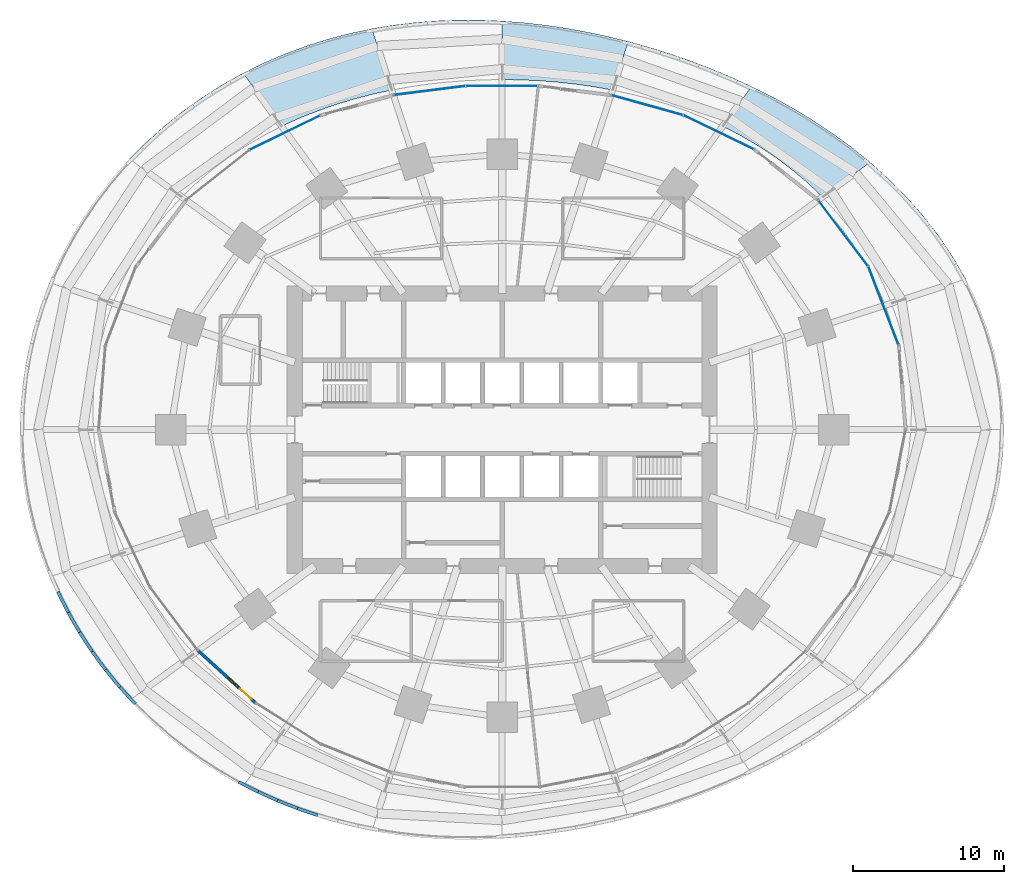
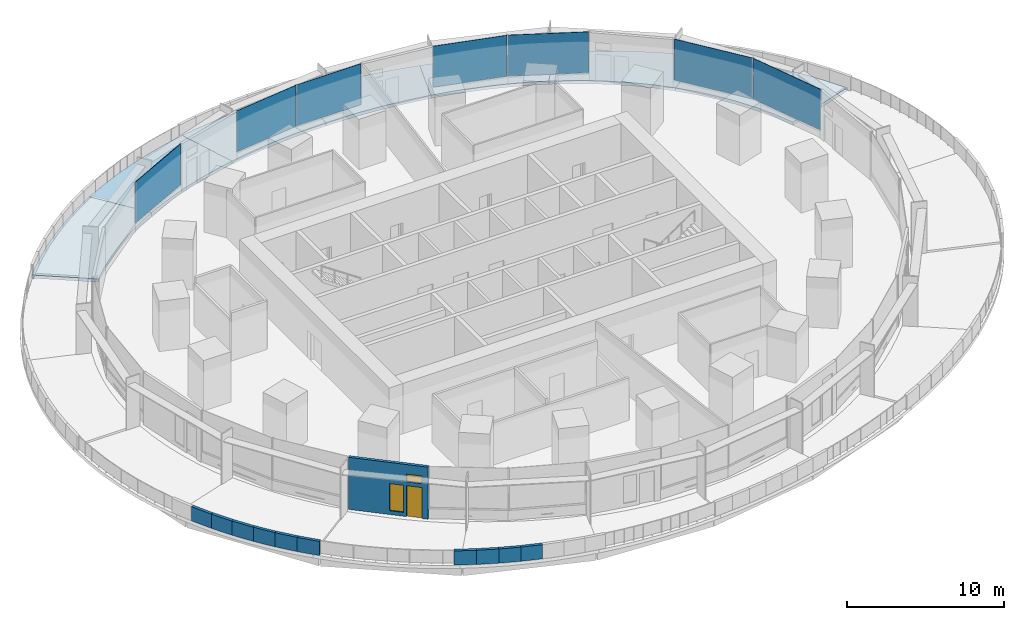
# One storey, part 11 of 20: 11 walls, 7 plates, 7 slabs, 2 windows, 1 door, 3 openings, 5 elements without a shape of their own.
"""IFC4 building model written with IfcOpenShell, lengths in metres."""

from ifc_helpers import new_model, si_unit, direction, frame, frame_2d, origin, origin_2d, place, context, subcontext, project, spatial, polyline, rectangle, outline, extrude, material, layer, layer_set, type_object, element, fill, aggregate, save


model = new_model("IFC4")

# Units and contexts
model_context = context("Model", 3, precision=1e-05, world=origin(), true_north=direction((0.0, 1.0)))
body_context = subcontext(model_context, "Body", "Model", "MODEL_VIEW")
ifc_project = project(units=[si_unit("LENGTHUNIT", "METRE"), si_unit("AREAUNIT", "SQUARE_METRE"), si_unit("VOLUMEUNIT", "CUBIC_METRE"), si_unit("PLANEANGLEUNIT", "RADIAN"), si_unit("MASSUNIT", "GRAM", prefix="KILO")], contexts=[model_context])

# Site, building, storey
site_placement = place(None, origin())
site = spatial("IfcSite", under=ifc_project, at=site_placement, CompositionType="ELEMENT")
building_placement = place(site_placement, origin())
building = spatial("IfcBuilding", under=site, at=building_placement, Name="Marramba Exchange Tower", CompositionType="ELEMENT")
storey_placement = place(building_placement, frame((0.0, 0.0, 19.60009765625)))
storey = spatial("IfcBuildingStorey", under=building, at=storey_placement, Name="L04", CompositionType="ELEMENT", Elevation=19.60009765625)

# Slabs
ifc_material_1 = material(Name="Concrete N40", Category="concrete")
ifc_layer_1 = layer(ifc_material_1, 0.25)
ifc_layer_set_1 = layer_set([ifc_layer_1], Name="Planted roof slab 250")
slab_type_1 = type_object("IfcSlabType", Name="Planted roof slab 250", PredefinedType="ROOF", material=ifc_layer_set_1)
slab_1_placement = place(storey_placement, frame((0.0, 0.0, -0.25)))
element("IfcSlab", 1, at=slab_1_placement, inside=storey, type_object=slab_type_1, Name="Planted roof slab L04 bay 02", PredefinedType="ROOF", context=body_context, shape_type="SweptSolid", body=[
    extrude(outline(polyline([(24.31298828125, 17.66455078125), (25.525146484375, 16.576171875), (26.68798828125, 15.408447265625), (27.791015625, 14.16015625), (28.82275390625, 12.832763671875), (29.770751953125, 11.427978515625), (30.623291015625, 9.9501953125), (25.717529296875, 8.356201171875), (25.16162109375, 9.65869140625), (24.516357421875, 10.915283203125), (23.786865234375, 12.1201171875), (22.9794921875, 13.267333984375), (22.10107421875, 14.3525390625), (21.158447265625, 15.37255859375), (24.31298828125, 17.66455078125)])), origin(), (0.0, 0.0, 1.0), 0.25),
])
slab_2_placement = place(storey_placement, frame((0.0, 0.0, -0.25)))
element("IfcSlab", 2, at=slab_2_placement, inside=storey, type_object=slab_type_1, Name="Planted roof slab L04 bay 04", PredefinedType="ROOF", context=body_context, shape_type="SweptSolid", body=[
    extrude(outline(polyline([(8.332763671875, 25.645263671875), (9.698486328125, 25.26513671875), (11.06005859375, 24.841552734375), (12.418701171875, 24.373046875), (13.774169921875, 23.857666015625), (15.126708984375, 23.29296875), (16.47509765625, 22.676025390625), (14.563720703125, 20.04541015625), (13.3701171875, 20.588134765625), (12.164306640625, 21.069091796875), (10.9501953125, 21.4912109375), (9.7314453125, 21.857421875), (8.5107421875, 22.1708984375), (7.289794921875, 22.435302734375), (8.332763671875, 25.645263671875)])), origin(), (0.0, 0.0, 1.0), 0.25),
])
slab_3_placement = place(storey_placement, frame((0.0, 0.0, -0.25)))
element("IfcSlab", 3, at=slab_3_placement, inside=storey, type_object=slab_type_1, Name="Planted roof slab L04 bay 06", PredefinedType="ROOF", context=body_context, shape_type="SweptSolid", body=[
    extrude(outline(polyline([(-7.16162109375, 26.7275390625), (-5.718017578125, 26.901123046875), (-4.2783203125, 27.01220703125), (-2.844482421875, 27.06396484375), (-1.418212890625, 27.058837890625), (0.0, 27.0), (0.0, 23.1279296875), (-1.211181640625, 23.109619140625), (-2.423095703125, 23.053955078125), (-3.636474609375, 22.96044921875), (-4.85205078125, 22.827392578125), (-6.06982421875, 22.6533203125), (-7.289794921875, 22.435302734375), (-8.606689453125, 26.48876953125), (-7.16162109375, 26.7275390625)])), origin(), (0.0, 0.0, 1.0), 0.25),
])
slab_4_placement = place(storey_placement, frame((0.0, 0.0, -0.25)))
element("IfcSlab", 4, at=slab_4_placement, inside=storey, type_object=slab_type_1, Name="Planted roof slab L04 bay 08", PredefinedType="ROOF", context=body_context, shape_type="SweptSolid", body=[
    extrude(outline(polyline([(-24.615478515625, 17.88427734375), (-23.484375, 19.017333984375), (-22.2978515625, 20.0771484375), (-21.061767578125, 21.061767578125), (-19.7822265625, 21.97021484375), (-18.46435546875, 22.801513671875), (-17.114013671875, 23.555419921875), (-14.563720703125, 20.04541015625), (-15.740478515625, 19.437744140625), (-16.89453125, 18.763427734375), (-18.020263671875, 18.020263671875), (-19.11083984375, 17.20751953125), (-20.159423828125, 16.32470703125), (-21.158447265625, 15.37255859375), (-24.615478515625, 17.88427734375)])), origin(), (0.0, 0.0, 1.0), 0.25),
])
ifc_layer_2 = layer(ifc_material_1, 0.25)
ifc_layer_set_2 = layer_set([ifc_layer_2], Name="Terrace slab 250")
slab_type_2 = type_object("IfcSlabType", Name="Terrace slab 250", PredefinedType="FLOOR", material=ifc_layer_set_2)
slab_5_placement = place(storey_placement, frame((0.0, 0.0, -0.25)))
element("IfcSlab", 5, at=slab_5_placement, inside=storey, type_object=slab_type_2, Name="Terrace slab L04 bay 03", PredefinedType="FLOOR", context=body_context, shape_type="SweptSolid", body=[
    extrude(outline(polyline([(17.81787109375, 22.003173828125), (19.152099609375, 21.2705078125), (20.474365234375, 20.474365234375), (21.77978515625, 19.610595703125), (23.061767578125, 18.675048828125), (24.31298828125, 17.66455078125), (21.158447265625, 15.37255859375), (20.159423828125, 16.32470703125), (19.11083984375, 17.20751953125), (18.020263671875, 18.020263671875), (16.89453125, 18.763427734375), (15.740478515625, 19.437744140625), (14.563720703125, 20.04541015625), (16.47509765625, 22.676025390625), (17.81787109375, 22.003173828125)])), origin(), (0.0, 0.0, 1.0), 0.25),
])
slab_6_placement = place(storey_placement, frame((0.0, 0.0, -0.25)))
element("IfcSlab", 6, at=slab_6_placement, inside=storey, type_object=slab_type_2, Name="Terrace slab L04 bay 05", PredefinedType="FLOOR", context=body_context, shape_type="SweptSolid", body=[
    extrude(outline(polyline([(1.4091796875, 26.89013671875), (2.8095703125, 26.7314453125), (4.201416015625, 26.526123046875), (5.585205078125, 26.276123046875), (6.9619140625, 25.982177734375), (8.332763671875, 25.645263671875), (7.289794921875, 22.435302734375), (6.06982421875, 22.6533203125), (4.85205078125, 22.827392578125), (3.636474609375, 22.96044921875), (2.423095703125, 23.053955078125), (1.211181640625, 23.109619140625), (0.0, 23.1279296875), (0.0, 27.0), (1.4091796875, 26.89013671875)])), origin(), (0.0, 0.0, 1.0), 0.25),
])
slab_7_placement = place(storey_placement, frame((0.0, 0.0, -0.25)))
element("IfcSlab", 7, at=slab_7_placement, inside=storey, type_object=slab_type_2, Name="Terrace slab L04 bay 07", PredefinedType="FLOOR", context=body_context, shape_type="SweptSolid", body=[
    extrude(outline(polyline([(-17.114013671875, 23.555419921875), (-15.736328125, 24.231689453125), (-14.33642578125, 24.831298828125), (-12.919189453125, 25.355224609375), (-11.489013671875, 25.804931640625), (-10.05029296875, 26.18212890625), (-8.606689453125, 26.48876953125), (-7.289794921875, 22.435302734375), (-8.5107421875, 22.1708984375), (-9.7314453125, 21.857421875), (-10.9501953125, 21.4912109375), (-12.164306640625, 21.069091796875), (-13.3701171875, 20.588134765625), (-14.563720703125, 20.04541015625), (-17.114013671875, 23.555419921875)])), origin(), (0.0, 0.0, 1.0), 0.25),
])

# Curtain wall, plates
ifc_material_2 = material(Name="Aluminium framing, bronze anodised", Category="aluminium")
curtain_wall_type = type_object("IfcCurtainWallType", Name="Trading floor ribbon curtain wall", PredefinedType="USERDEFINED", material=ifc_material_2)
curtain_wall_1_placement = place(storey_placement, origin())
curtain_wall_1 = element("IfcCurtainWall", 8, at=curtain_wall_1_placement, inside=storey, type_object=curtain_wall_type, Name="Curtain wall CW3 L04 F02-F03", ObjectType="RIBBON CURTAIN WALL", PredefinedType="USERDEFINED")
ifc_material_3 = material(Name="Double glazed unit 10 + 12 + 8.76, bronze tinted", Category="glass")
ifc_layer_3 = layer(ifc_material_3, 0.03076171875)
ifc_layer_set_3 = layer_set([ifc_layer_3], Name="Trading floor ribbon curtain wall panel")
plate_type = type_object("IfcPlateType", Name="Trading floor ribbon curtain wall panel", PredefinedType="CURTAIN_PANEL", material=ifc_layer_set_3)
plate_1_placement = place(storey_placement, frame((25.188232421875, 8.19921875, 0.85986328125), z_axis=(0.0, 0.0, 1.0), x_axis=(-0.359525510698, 0.933135256626, 0.0)))
plate_1 = element("IfcPlate", 9, at=plate_1_placement, type_object=plate_type, Name="CW3 vision panel", PredefinedType="CURTAIN_PANEL", context=body_context, shape_type="SweptSolid", body=[
    extrude(rectangle(XDim=5.5166015625, YDim=0.03076171875, at=origin_2d()), origin(), (0.0, 0.0, 1.0), 3.179931640625),
])
plate_2_placement = place(storey_placement, frame((22.535888671875, 12.969970703125, 0.85986328125), z_axis=(0.0, 0.0, 1.0), x_axis=(-0.602989765036, 0.797748922445, 0.0)))
plate_2 = element("IfcPlate", 10, at=plate_2_placement, type_object=plate_type, Name="CW3 vision panel", PredefinedType="CURTAIN_PANEL", context=body_context, shape_type="SweptSolid", body=[
    extrude(rectangle(XDim=5.387939453125, YDim=0.03076171875, at=origin_2d()), origin(), (0.0, 0.0, 1.0), 3.179931640625),
])
aggregate(curtain_wall_1, [plate_1, plate_2])

# Curtain wall, plate
curtain_wall_2_placement = place(storey_placement, origin())
curtain_wall_2 = element("IfcCurtainWall", 11, at=curtain_wall_2_placement, inside=storey, type_object=curtain_wall_type, Name="Curtain wall CW3 L04 F05", ObjectType="RIBBON CURTAIN WALL", PredefinedType="USERDEFINED")
plate_3_placement = place(storey_placement, frame((14.2978515625, 19.647705078125, 0.85986328125), z_axis=(0.0, 0.0, 1.0), x_axis=(-0.899963433508, 0.43596538664, 0.0)))
plate_3 = element("IfcPlate", 12, at=plate_3_placement, type_object=plate_type, Name="CW3 vision panel", PredefinedType="CURTAIN_PANEL", context=body_context, shape_type="SweptSolid", body=[
    extrude(rectangle(XDim=5.13037109375, YDim=0.03076171875, at=origin_2d()), origin(), (0.0, 0.0, 1.0), 3.179931640625),
])
aggregate(curtain_wall_2, [plate_3])

curtain_wall_3_placement = place(storey_placement, origin())
curtain_wall_3 = element("IfcCurtainWall", 13, at=curtain_wall_3_placement, inside=storey, type_object=curtain_wall_type, Name="Curtain wall CW3 L04 F06", ObjectType="RIBBON CURTAIN WALL", PredefinedType="USERDEFINED")
plate_4_placement = place(storey_placement, frame((9.58544921875, 21.434326171875, 0.85986328125), z_axis=(0.0, 0.0, 1.0), x_axis=(-0.963472096649, 0.267808735815, 0.0)))
plate_4 = element("IfcPlate", 14, at=plate_4_placement, type_object=plate_type, Name="CW3 vision panel", PredefinedType="CURTAIN_PANEL", context=body_context, shape_type="SweptSolid", body=[
    extrude(rectangle(XDim=4.8701171875, YDim=0.03076171875, at=origin_2d()), origin(), (0.0, 0.0, 1.0), 3.179931640625),
])
aggregate(curtain_wall_3, [plate_4])

# Curtain wall, plates
curtain_wall_4_placement = place(storey_placement, origin())
curtain_wall_4 = element("IfcCurtainWall", 15, at=curtain_wall_4_placement, inside=storey, type_object=curtain_wall_type, Name="Curtain wall CW3 L04 F08-F09", ObjectType="RIBBON CURTAIN WALL", PredefinedType="USERDEFINED")
plate_5_placement = place(storey_placement, frame((-0.030029296875, 22.7060546875, 0.85986328125), z_axis=(0.0, 0.0, 1.0), x_axis=(-1.0, 0.0, 0.0)))
plate_5 = element("IfcPlate", 16, at=plate_5_placement, type_object=plate_type, Name="CW3 vision panel", PredefinedType="CURTAIN_PANEL", context=body_context, shape_type="SweptSolid", body=[
    extrude(rectangle(XDim=4.712890625, YDim=0.03076171875, at=origin_2d()), origin(), (0.0, 0.0, 1.0), 3.179931640625),
])
plate_6_placement = place(storey_placement, frame((-4.783935546875, 22.404296875, 0.85986328125), z_axis=(0.0, 0.0, 1.0), x_axis=(-0.992172768738, -0.124872723099, 0.0)))
plate_6 = element("IfcPlate", 17, at=plate_6_placement, type_object=plate_type, Name="CW3 vision panel", PredefinedType="CURTAIN_PANEL", context=body_context, shape_type="SweptSolid", body=[
    extrude(rectangle(XDim=4.712890625, YDim=0.03076171875, at=origin_2d()), origin(), (0.0, 0.0, 1.0), 3.179931640625),
])
aggregate(curtain_wall_4, [plate_5, plate_6])

# Curtain wall, plate
curtain_wall_5_placement = place(storey_placement, origin())
curtain_wall_5 = element("IfcCurtainWall", 18, at=curtain_wall_5_placement, inside=storey, type_object=curtain_wall_type, Name="Curtain wall CW3 L04 F11-F12", ObjectType="RIBBON CURTAIN WALL", PredefinedType="USERDEFINED")
plate_7_placement = place(storey_placement, frame((-14.351806640625, 19.62158203125, 0.85986328125), z_axis=(0.0, 0.0, 1.0), x_axis=(-0.899963433508, -0.43596538664, 0.0)))
plate_7 = element("IfcPlate", 19, at=plate_7_placement, type_object=plate_type, Name="CW3 vision panel", PredefinedType="CURTAIN_PANEL", context=body_context, shape_type="SweptSolid", body=[
    extrude(rectangle(XDim=5.13037109375, YDim=0.03076171875, at=origin_2d()), origin(), (0.0, 0.0, 1.0), 3.179931640625),
])
aggregate(curtain_wall_5, [plate_7])

# Wall, openings, door, windows
ifc_material_4 = material(Name="Aluminium-framed bronze cladding on steel studs", Category="steel")
ifc_layer_4 = layer(ifc_material_4, 0.199951171875)
ifc_layer_set_4 = layer_set([ifc_layer_4], Name="Door screen wall 200")
wall_type_1 = type_object("IfcWallType", Name="Door screen wall 200", PredefinedType="SOLIDWALL", material=ifc_layer_set_4)
wall_1_placement = place(storey_placement, frame((-20.08544921875, -14.593017578125, 0.0), z_axis=(0.0, 0.0, 1.0), x_axis=(0.739597549154, -0.673049378044, 0.0)))
wall_1 = element("IfcWall", 20, at=wall_1_placement, inside=storey, type_object=wall_type_1, Name="Door screen L04 F19", PredefinedType="SOLIDWALL", context=body_context, shape_type="SweptSolid", body=[
    extrude(rectangle(XDim=5.161865234375, YDim=0.199951171875, at=frame_2d((2.5810546875, 0.0))), origin(), (0.0, 0.0, 1.0), 4.039794921875),
])
opening_1_placement = place(wall_1_placement, frame((3.761962890625, 0.0, 0.0)))
opening_1 = element("IfcOpeningElement", 21, at=opening_1_placement, cuts=wall_1, Name="Opening D6", PredefinedType="OPENING", context=body_context, shape_type="SweptSolid", body=[
    extrude(rectangle(XDim=1.0, YDim=2.39990234375, at=frame_2d((0.5, 1.199951171875))), frame((0.0, 0.10986328125, 0.0), z_axis=(0.0, -1.0, 0.0), x_axis=(1.0, 0.0, 0.0)), (0.0, 0.0, 1.0), 0.219970703125),
])
opening_2_placement = place(wall_1_placement, frame((2.661865234375, 0.0, 0.300048828125)))
opening_2 = element("IfcOpeningElement", 22, at=opening_2_placement, cuts=wall_1, Name="Opening W4", PredefinedType="OPENING", context=body_context, shape_type="SweptSolid", body=[
    extrude(rectangle(XDim=0.89990234375, YDim=2.10009765625, at=frame_2d((0.449951171875, 1.050048828125))), frame((0.0, 0.10986328125, 0.0), z_axis=(0.0, -1.0, 0.0), x_axis=(1.0, 0.0, 0.0)), (0.0, 0.0, 1.0), 0.219970703125),
])
opening_3_placement = place(wall_1_placement, frame((3.761962890625, 0.0, 2.699951171875)))
opening_3 = element("IfcOpeningElement", 23, at=opening_3_placement, cuts=wall_1, Name="Opening W5", PredefinedType="OPENING", context=body_context, shape_type="SweptSolid", body=[
    extrude(rectangle(XDim=1.0, YDim=0.60009765625, at=frame_2d((0.5, 0.300048828125))), frame((0.0, 0.10986328125, 0.0), z_axis=(0.0, -1.0, 0.0), x_axis=(1.0, 0.0, 0.0)), (0.0, 0.0, 1.0), 0.219970703125),
])
ifc_material_5 = material(Name="Aluminium-framed glazed door, bronze", Category="aluminium")
door_type = type_object("IfcDoorType", Name="Terrace door 1000x2400", OperationType="SINGLE_SWING_LEFT", PredefinedType="DOOR", material=ifc_material_5)
door_placement = place(opening_1_placement, frame((1.0, 0.0, 0.0), z_axis=(0.0, 0.0, 1.0), x_axis=(-1.0, 0.0, 0.0)))
door = element("IfcDoor", 24, at=door_placement, inside=storey, type_object=door_type, Name="D6 L04", OperationType="SINGLE_SWING_RIGHT", OverallHeight=2.39990234375, OverallWidth=1.0, PredefinedType="DOOR", context=body_context, shape_type="SweptSolid", body=[
    extrude(rectangle(XDim=1.0, YDim=2.39990234375, at=frame_2d((0.5, 1.199951171875))), frame((0.0, 0.025146484375, 0.0), z_axis=(0.0, -1.0, 0.0), x_axis=(1.0, 0.0, 0.0)), (0.0, 0.0, 1.0), 0.050048828125),
])
fill(opening_1, door)
ifc_material_6 = material(Name="Aluminium-framed fixed light, bronze, double glazed", Category="aluminium")
window_type_1 = type_object("IfcWindowType", Name="Terrace sidelight 900x2100", PartitioningType="SINGLE_PANEL", PredefinedType="WINDOW", material=ifc_material_6)
window_1_placement = place(opening_2_placement, origin())
window_1 = element("IfcWindow", 25, at=window_1_placement, inside=storey, type_object=window_type_1, Name="W4 L04 F19 left", OverallHeight=2.10009765625, OverallWidth=0.89990234375, PartitioningType="SINGLE_PANEL", PredefinedType="WINDOW", context=body_context, shape_type="SweptSolid", body=[
    extrude(rectangle(XDim=0.89990234375, YDim=2.10009765625, at=frame_2d((0.449951171875, 1.050048828125))), frame((0.0, 0.030029296875, 0.0), z_axis=(0.0, -1.0, 0.0), x_axis=(1.0, 0.0, 0.0)), (0.0, 0.0, 1.0), 0.06005859375),
])
fill(opening_2, window_1)
window_type_2 = type_object("IfcWindowType", Name="Terrace transom light 1000x600", PartitioningType="SINGLE_PANEL", PredefinedType="WINDOW", material=ifc_material_6)
window_2_placement = place(opening_3_placement, origin())
window_2 = element("IfcWindow", 26, at=window_2_placement, inside=storey, type_object=window_type_2, Name="W5 L04 F19 over the door", OverallHeight=0.60009765625, OverallWidth=1.0, PartitioningType="SINGLE_PANEL", PredefinedType="WINDOW", context=body_context, shape_type="SweptSolid", body=[
    extrude(rectangle(XDim=1.0, YDim=0.60009765625, at=frame_2d((0.5, 0.300048828125))), frame((0.0, 0.030029296875, 0.0), z_axis=(0.0, -1.0, 0.0), x_axis=(1.0, 0.0, 0.0)), (0.0, 0.0, 1.0), 0.06005859375),
])
fill(opening_3, window_2)

# Walls
ifc_layer_5 = layer(ifc_material_1, 0.199951171875)
ifc_layer_set_5 = layer_set([ifc_layer_5], Name="Roof parapet 200")
wall_type_2 = type_object("IfcWallType", Name="Roof parapet 200", PredefinedType="PARAPET", material=ifc_layer_set_5)
wall_2_placement = place(storey_placement, frame((-29.345458984375, -10.71240234375, 0.0), z_axis=(0.0, 0.0, 1.0), x_axis=(0.447470559416, -0.894298662895, 0.0)))
element("IfcWall", 27, at=wall_2_placement, inside=storey, type_object=wall_type_2, Name="Parapet L04 bay 12", PredefinedType="PARAPET", context=body_context, shape_type="SweptSolid", body=[
    extrude(rectangle(XDim=1.52001953125, YDim=0.199951171875, at=frame_2d((0.760009765625, 0.0))), origin(), (0.0, 0.0, 1.0), 1.099853515625),
])
wall_3_placement = place(storey_placement, frame((-28.665283203125, -12.07177734375, 0.0), z_axis=(0.0, 0.0, 1.0), x_axis=(0.49811672413, -0.867109986762, 0.0)))
element("IfcWall", 28, at=wall_3_placement, inside=storey, type_object=wall_type_2, Name="Parapet L04 bay 12", PredefinedType="PARAPET", context=body_context, shape_type="SweptSolid", body=[
    extrude(rectangle(XDim=1.514404296875, YDim=0.199951171875, at=frame_2d((0.75732421875, 0.0))), origin(), (0.0, 0.0, 1.0), 1.099853515625),
])
wall_4_placement = place(storey_placement, frame((-27.910888671875, -13.385009765625, 0.0), z_axis=(0.0, 0.0, 1.0), x_axis=(0.546529477858, -0.837439866398, 0.0)))
element("IfcWall", 29, at=wall_4_placement, inside=storey, type_object=wall_type_2, Name="Parapet L04 bay 12", PredefinedType="PARAPET", context=body_context, shape_type="SweptSolid", body=[
    extrude(rectangle(XDim=1.508056640625, YDim=0.199951171875, at=frame_2d((0.75390625, 0.0))), origin(), (0.0, 0.0, 1.0), 1.099853515625),
])
wall_5_placement = place(storey_placement, frame((-27.086669921875, -14.64794921875, 0.0), z_axis=(0.0, 0.0, 1.0), x_axis=(0.592533234257, -0.80554600508, 0.0)))
element("IfcWall", 30, at=wall_5_placement, inside=storey, type_object=wall_type_2, Name="Parapet L04 bay 12", PredefinedType="PARAPET", context=body_context, shape_type="SweptSolid", body=[
    extrude(rectangle(XDim=1.50146484375, YDim=0.199951171875, at=frame_2d((0.750732421875, 0.0))), origin(), (0.0, 0.0, 1.0), 1.099853515625),
])
wall_6_placement = place(storey_placement, frame((-26.197021484375, -15.857421875, 0.0), z_axis=(0.0, 0.0, 1.0), x_axis=(0.636010862813, -0.77168010366, 0.0)))
element("IfcWall", 31, at=wall_6_placement, inside=storey, type_object=wall_type_2, Name="Parapet L04 bay 12", PredefinedType="PARAPET", context=body_context, shape_type="SweptSolid", body=[
    extrude(rectangle(XDim=1.49365234375, YDim=0.199951171875, at=frame_2d((0.746826171875, 0.0))), origin(), (0.0, 0.0, 1.0), 1.099853515625),
])
wall_7_placement = place(storey_placement, frame((-25.2470703125, -17.010009765625, 0.0), z_axis=(0.0, 0.0, 1.0), x_axis=(0.677003144742, -0.735980123379, 0.0)))
element("IfcWall", 32, at=wall_7_placement, inside=storey, type_object=wall_type_2, Name="Parapet L04 bay 12", PredefinedType="PARAPET", context=body_context, shape_type="SweptSolid", body=[
    extrude(rectangle(XDim=1.486083984375, YDim=0.199951171875, at=frame_2d((0.7431640625, 0.0))), origin(), (0.0, 0.0, 1.0), 1.099853515625),
])
wall_8_placement = place(storey_placement, frame((-17.399169921875, -23.26904296875, 0.0), z_axis=(0.0, 0.0, 1.0), x_axis=(0.891022565174, -0.453959016158, 0.0)))
element("IfcWall", 33, at=wall_8_placement, inside=storey, type_object=wall_type_2, Name="Parapet L04 bay 14", PredefinedType="PARAPET", context=body_context, shape_type="SweptSolid", body=[
    extrude(rectangle(XDim=1.4306640625, YDim=0.199951171875, at=frame_2d((0.71533203125, 0.0))), origin(), (0.0, 0.0, 1.0), 1.099853515625),
])
wall_9_placement = place(storey_placement, frame((-16.12451171875, -23.91845703125, 0.0), z_axis=(0.0, 0.0, 1.0), x_axis=(0.911966522965, -0.410264623128, 0.0)))
element("IfcWall", 34, at=wall_9_placement, inside=storey, type_object=wall_type_2, Name="Parapet L04 bay 14", PredefinedType="PARAPET", context=body_context, shape_type="SweptSolid", body=[
    extrude(rectangle(XDim=1.42041015625, YDim=0.199951171875, at=frame_2d((0.710205078125, 0.0))), origin(), (0.0, 0.0, 1.0), 1.099853515625),
])
wall_10_placement = place(storey_placement, frame((-14.8291015625, -24.501220703125, 0.0), z_axis=(0.0, 0.0, 1.0), x_axis=(0.930505000792, -0.366279187917, 0.0)))
element("IfcWall", 35, at=wall_10_placement, inside=storey, type_object=wall_type_2, Name="Parapet L04 bay 14", PredefinedType="PARAPET", context=body_context, shape_type="SweptSolid", body=[
    extrude(rectangle(XDim=1.40966796875, YDim=0.199951171875, at=frame_2d((0.704833984375, 0.0))), origin(), (0.0, 0.0, 1.0), 1.099853515625),
])
wall_11_placement = place(storey_placement, frame((-13.517333984375, -25.017578125, 0.0), z_axis=(0.0, 0.0, 1.0), x_axis=(0.946622730072, -0.32234361621, 0.0)))
element("IfcWall", 36, at=wall_11_placement, inside=storey, type_object=wall_type_2, Name="Parapet L04 bay 14", PredefinedType="PARAPET", context=body_context, shape_type="SweptSolid", body=[
    extrude(rectangle(XDim=1.399658203125, YDim=0.199951171875, at=frame_2d((0.69970703125, 0.0))), origin(), (0.0, 0.0, 1.0), 1.099853515625),
])

save(model, "model.ifc")
